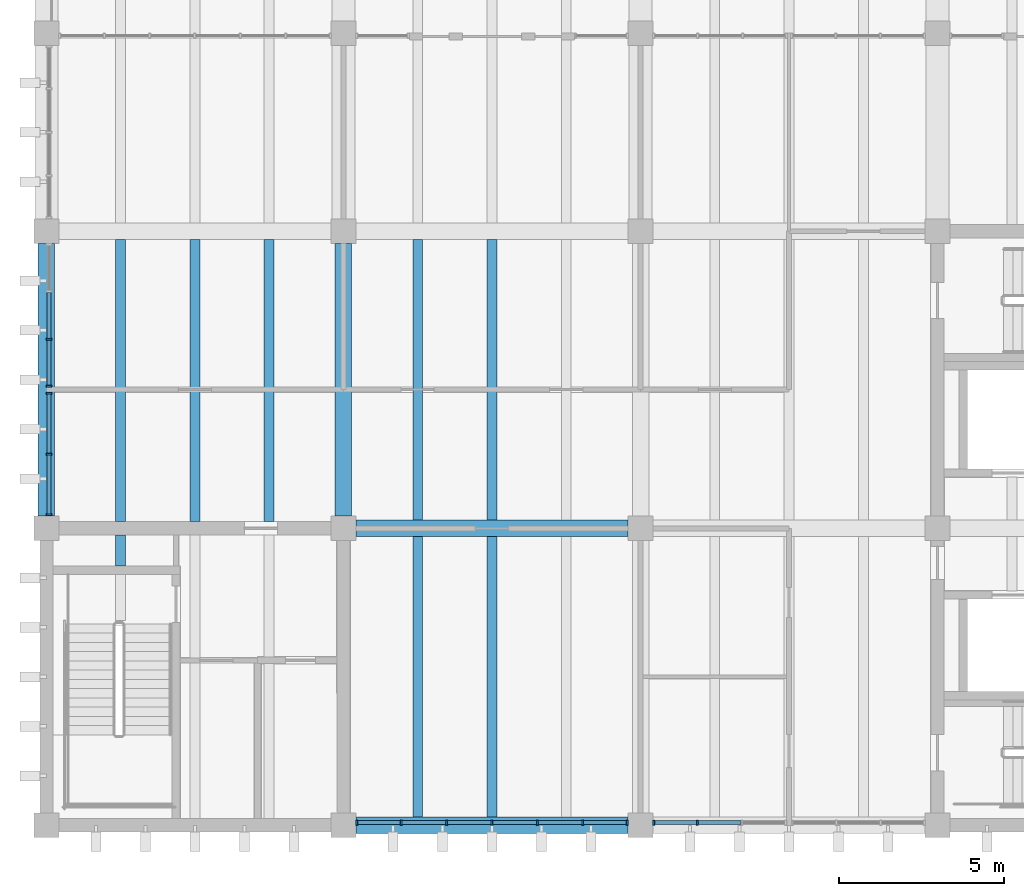
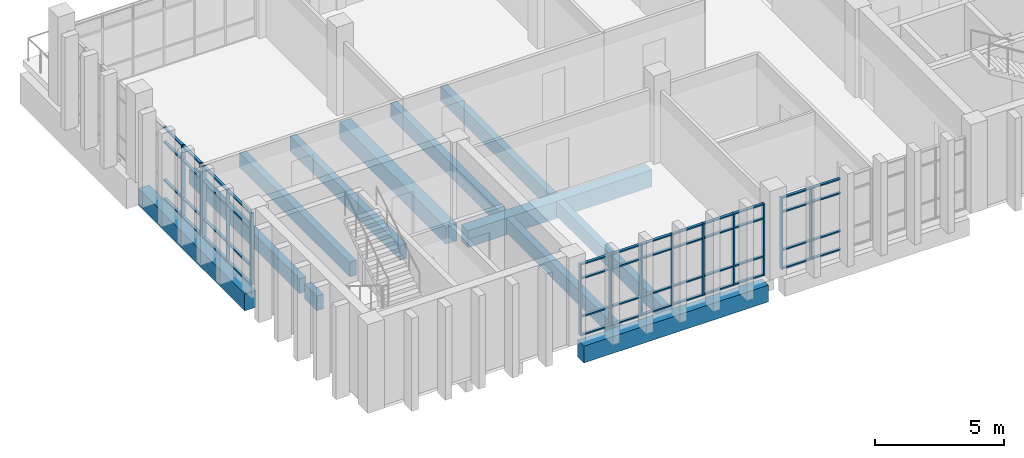
# One storey, part 2 of 15: 62 members, 12 beams, 4 elements without a shape of their own.
"""IFC4 building model written with IfcOpenShell, lengths in metres."""

from ifc_helpers import new_model, si_unit, direction, frame, origin, origin_2d, place, context, subcontext, project, spatial, rectangle, extrude, material, material_profile, profile_set, type_object, element, aggregate, save


model = new_model("IFC4")

# Units and contexts
model_context = context("Model", 3, precision=1e-05, world=origin(), true_north=direction((0.0, 1.0)))
body_context = subcontext(model_context, "Body", "Model", "MODEL_VIEW")
ifc_project = project(units=[si_unit("LENGTHUNIT", "METRE"), si_unit("AREAUNIT", "SQUARE_METRE"), si_unit("VOLUMEUNIT", "CUBIC_METRE"), si_unit("PLANEANGLEUNIT", "RADIAN"), si_unit("MASSUNIT", "GRAM", prefix="KILO")], contexts=[model_context])

# Site, building, storey
site_placement = place(None, origin())
site = spatial("IfcSite", under=ifc_project, at=site_placement, CompositionType="ELEMENT")
building_placement = place(site_placement, origin())
building = spatial("IfcBuilding", under=site, at=building_placement, Name="Merrow Basin Faculty of Sciences", CompositionType="ELEMENT")
storey_placement = place(building_placement, frame((0.0, 0.0, 31.5)))
storey = spatial("IfcBuildingStorey", under=building, at=storey_placement, Name="L07", CompositionType="ELEMENT", Elevation=31.5)

# Curtain wall, members
ifc_material_1 = material(Name="Aluminium alloy 6063", Category="aluminium")
curtain_wall_type = type_object("IfcCurtainWallType", Name="Unitised curtain wall 160", PredefinedType="NOTDEFINED", material=ifc_material_1)
curtain_wall_1_placement = place(storey_placement, origin())
curtain_wall_1 = element("IfcCurtainWall", 1, at=curtain_wall_1_placement, inside=storey, type_object=curtain_wall_type, Name="W curtain wall L07 1", PredefinedType="NOTDEFINED")
ifc_material_2 = material(Name="Aluminium alloy 6063", Category="aluminium")
ifc_material_profile_1 = material_profile(ifc_material_2, rectangle(XDim=0.159912109375, YDim=0.06005859375, at=origin_2d()))
ifc_profile_set_1 = profile_set([ifc_material_profile_1], Name="Aluminium alloy 6063")
member_type_1 = type_object("IfcMemberType", Name="Aluminium mullion 60x160", PredefinedType="MULLION", material=ifc_profile_set_1)
member_1_placement = place(storey_placement, frame((18.080078125, 151.405029296875, 0.0), z_axis=(0.0, 0.0, 1.0), x_axis=(-1.0, 0.0, 0.0)))
member_1 = element("IfcMember", 2, at=member_1_placement, type_object=member_type_1, Name="CW3 mullion 1", PredefinedType="MULLION", context=body_context, shape_type="SweptSolid", body=[
    extrude(rectangle(XDim=0.159912109375, YDim=0.06005859375, at=origin_2d()), origin(), (0.0, 0.0, 1.0), 3.39990234375),
])
member_2_placement = place(storey_placement, frame((18.080078125, 153.25, 0.0), z_axis=(0.0, 0.0, 1.0), x_axis=(-1.0, 0.0, 0.0)))
member_2 = element("IfcMember", 3, at=member_2_placement, type_object=member_type_1, Name="CW3 mullion 2", PredefinedType="MULLION", context=body_context, shape_type="SweptSolid", body=[
    extrude(rectangle(XDim=0.159912109375, YDim=0.06005859375, at=origin_2d()), origin(), (0.0, 0.0, 1.0), 3.39990234375),
])
member_3_placement = place(storey_placement, frame((18.080078125, 155.094970703125, 0.0), z_axis=(0.0, 0.0, 1.0), x_axis=(-1.0, 0.0, 0.0)))
member_3 = element("IfcMember", 4, at=member_3_placement, type_object=member_type_1, Name="CW3 mullion 3", PredefinedType="MULLION", context=body_context, shape_type="SweptSolid", body=[
    extrude(rectangle(XDim=0.159912109375, YDim=0.06005859375, at=origin_2d()), origin(), (0.0, 0.0, 1.0), 3.39990234375),
])

curtain_wall_2_placement = place(storey_placement, origin())
curtain_wall_2 = element("IfcCurtainWall", 5, at=curtain_wall_2_placement, inside=storey, type_object=curtain_wall_type, Name="W curtain wall L07 2", PredefinedType="NOTDEFINED")
member_4_placement = place(storey_placement, frame((18.080078125, 155.304931640625, 0.0), z_axis=(0.0, 0.0, 1.0), x_axis=(-1.0, 0.0, 0.0)))
member_4 = element("IfcMember", 6, at=member_4_placement, type_object=member_type_1, Name="CW3 mullion 1", PredefinedType="MULLION", context=body_context, shape_type="SweptSolid", body=[
    extrude(rectangle(XDim=0.159912109375, YDim=0.06005859375, at=origin_2d()), origin(), (0.0, 0.0, 1.0), 3.39990234375),
])
member_5_placement = place(storey_placement, frame((18.080078125, 156.72509765625, 0.0), z_axis=(0.0, 0.0, 1.0), x_axis=(-1.0, 0.0, 0.0)))
member_5 = element("IfcMember", 7, at=member_5_placement, type_object=member_type_1, Name="CW3 mullion 2", PredefinedType="MULLION", context=body_context, shape_type="SweptSolid", body=[
    extrude(rectangle(XDim=0.159912109375, YDim=0.06005859375, at=origin_2d()), origin(), (0.0, 0.0, 1.0), 3.39990234375),
])

curtain_wall_3_placement = place(storey_placement, origin())
curtain_wall_3 = element("IfcCurtainWall", 8, at=curtain_wall_3_placement, inside=storey, type_object=curtain_wall_type, Name="S curtain wall L07 1", PredefinedType="NOTDEFINED")
member_6_placement = place(storey_placement, frame((27.405029296875, 142.080078125, 0.0), z_axis=(0.0, 0.0, 1.0), x_axis=(0.0, 1.0, 0.0)))
member_6 = element("IfcMember", 9, at=member_6_placement, type_object=member_type_1, Name="CW3 mullion 1", PredefinedType="MULLION", context=body_context, shape_type="SweptSolid", body=[
    extrude(rectangle(XDim=0.159912109375, YDim=0.06005859375, at=origin_2d()), origin(), (0.0, 0.0, 1.0), 3.39990234375),
])
member_7_placement = place(storey_placement, frame((28.75, 142.080078125, 0.0), z_axis=(0.0, 0.0, 1.0), x_axis=(0.0, 1.0, 0.0)))
member_7 = element("IfcMember", 10, at=member_7_placement, type_object=member_type_1, Name="CW3 mullion 2", PredefinedType="MULLION", context=body_context, shape_type="SweptSolid", body=[
    extrude(rectangle(XDim=0.159912109375, YDim=0.06005859375, at=origin_2d()), origin(), (0.0, 0.0, 1.0), 3.39990234375),
])
member_8_placement = place(storey_placement, frame((30.125, 142.080078125, 0.0), z_axis=(0.0, 0.0, 1.0), x_axis=(0.0, 1.0, 0.0)))
member_8 = element("IfcMember", 11, at=member_8_placement, type_object=member_type_1, Name="CW3 mullion 3", PredefinedType="MULLION", context=body_context, shape_type="SweptSolid", body=[
    extrude(rectangle(XDim=0.159912109375, YDim=0.06005859375, at=origin_2d()), origin(), (0.0, 0.0, 1.0), 3.39990234375),
])
member_9_placement = place(storey_placement, frame((31.5, 142.080078125, 0.0), z_axis=(0.0, 0.0, 1.0), x_axis=(0.0, 1.0, 0.0)))
member_9 = element("IfcMember", 12, at=member_9_placement, type_object=member_type_1, Name="CW3 mullion 4", PredefinedType="MULLION", context=body_context, shape_type="SweptSolid", body=[
    extrude(rectangle(XDim=0.159912109375, YDim=0.06005859375, at=origin_2d()), origin(), (0.0, 0.0, 1.0), 3.39990234375),
])
member_10_placement = place(storey_placement, frame((32.875, 142.080078125, 0.0), z_axis=(0.0, 0.0, 1.0), x_axis=(0.0, 1.0, 0.0)))
member_10 = element("IfcMember", 13, at=member_10_placement, type_object=member_type_1, Name="CW3 mullion 5", PredefinedType="MULLION", context=body_context, shape_type="SweptSolid", body=[
    extrude(rectangle(XDim=0.159912109375, YDim=0.06005859375, at=origin_2d()), origin(), (0.0, 0.0, 1.0), 3.39990234375),
])
member_11_placement = place(storey_placement, frame((34.25, 142.080078125, 0.0), z_axis=(0.0, 0.0, 1.0), x_axis=(0.0, 1.0, 0.0)))
member_11 = element("IfcMember", 14, at=member_11_placement, type_object=member_type_1, Name="CW3 mullion 6", PredefinedType="MULLION", context=body_context, shape_type="SweptSolid", body=[
    extrude(rectangle(XDim=0.159912109375, YDim=0.06005859375, at=origin_2d()), origin(), (0.0, 0.0, 1.0), 3.39990234375),
])
member_12_placement = place(storey_placement, frame((35.594970703125, 142.080078125, 0.0), z_axis=(0.0, 0.0, 1.0), x_axis=(0.0, 1.0, 0.0)))
member_12 = element("IfcMember", 15, at=member_12_placement, type_object=member_type_1, Name="CW3 mullion 7", PredefinedType="MULLION", context=body_context, shape_type="SweptSolid", body=[
    extrude(rectangle(XDim=0.159912109375, YDim=0.06005859375, at=origin_2d()), origin(), (0.0, 0.0, 1.0), 3.39990234375),
])

curtain_wall_4_placement = place(storey_placement, origin())
curtain_wall_4 = element("IfcCurtainWall", 16, at=curtain_wall_4_placement, inside=storey, type_object=curtain_wall_type, Name="S curtain wall L07 2", PredefinedType="NOTDEFINED")
member_13_placement = place(storey_placement, frame((36.405029296875, 142.080078125, 0.0), z_axis=(0.0, 0.0, 1.0), x_axis=(0.0, 1.0, 0.0)))
member_13 = element("IfcMember", 17, at=member_13_placement, type_object=member_type_1, Name="CW3 mullion 1", PredefinedType="MULLION", context=body_context, shape_type="SweptSolid", body=[
    extrude(rectangle(XDim=0.159912109375, YDim=0.06005859375, at=origin_2d()), origin(), (0.0, 0.0, 1.0), 3.39990234375),
])
member_14_placement = place(storey_placement, frame((37.72509765625, 142.080078125, 0.0), z_axis=(0.0, 0.0, 1.0), x_axis=(0.0, 1.0, 0.0)))
member_14 = element("IfcMember", 18, at=member_14_placement, type_object=member_type_1, Name="CW3 mullion 2", PredefinedType="MULLION", context=body_context, shape_type="SweptSolid", body=[
    extrude(rectangle(XDim=0.159912109375, YDim=0.06005859375, at=origin_2d()), origin(), (0.0, 0.0, 1.0), 3.39990234375),
])

# Member
ifc_material_3 = material(Name="Aluminium alloy 6063", Category="aluminium")
ifc_material_profile_2 = material_profile(ifc_material_3, rectangle(XDim=0.1201171875, YDim=0.06005859375, at=origin_2d()))
ifc_profile_set_2 = profile_set([ifc_material_profile_2], Name="Aluminium alloy 6063")
member_type_2 = type_object("IfcMemberType", Name="Aluminium transom 60x120", PredefinedType="USERDEFINED", material=ifc_profile_set_2)
member_15_placement = place(storey_placement, frame((18.080078125, 151.43505859375, 0.030029296875), z_axis=(0.0, 1.0, 0.0), x_axis=(-1.0, 0.0, 0.0)))
member_15 = element("IfcMember", 19, at=member_15_placement, type_object=member_type_2, Name="CW3 transom 1.1", ObjectType="TRANSOM", PredefinedType="USERDEFINED", context=body_context, shape_type="SweptSolid", body=[
    extrude(rectangle(XDim=0.1201171875, YDim=0.06005859375, at=origin_2d()), origin(), (0.0, 0.0, 1.0), 1.784912109375),
])

member_16_placement = place(storey_placement, frame((18.080078125, 151.43505859375, 0.89990234375), z_axis=(0.0, 1.0, 0.0), x_axis=(-1.0, 0.0, 0.0)))
member_16 = element("IfcMember", 20, at=member_16_placement, type_object=member_type_2, Name="CW3 transom 1.2", ObjectType="TRANSOM", PredefinedType="USERDEFINED", context=body_context, shape_type="SweptSolid", body=[
    extrude(rectangle(XDim=0.1201171875, YDim=0.06005859375, at=origin_2d()), origin(), (0.0, 0.0, 1.0), 1.784912109375),
])

member_17_placement = place(storey_placement, frame((18.080078125, 151.43505859375, 2.699951171875), z_axis=(0.0, 1.0, 0.0), x_axis=(-1.0, 0.0, 0.0)))
member_17 = element("IfcMember", 21, at=member_17_placement, type_object=member_type_2, Name="CW3 transom 1.3", ObjectType="TRANSOM", PredefinedType="USERDEFINED", context=body_context, shape_type="SweptSolid", body=[
    extrude(rectangle(XDim=0.1201171875, YDim=0.06005859375, at=origin_2d()), origin(), (0.0, 0.0, 1.0), 1.784912109375),
])

member_18_placement = place(storey_placement, frame((18.080078125, 151.43505859375, 3.3701171875), z_axis=(0.0, 1.0, 0.0), x_axis=(-1.0, 0.0, 0.0)))
member_18 = element("IfcMember", 22, at=member_18_placement, type_object=member_type_2, Name="CW3 transom 1.4", ObjectType="TRANSOM", PredefinedType="USERDEFINED", context=body_context, shape_type="SweptSolid", body=[
    extrude(rectangle(XDim=0.1201171875, YDim=0.06005859375, at=origin_2d()), origin(), (0.0, 0.0, 1.0), 1.784912109375),
])

member_19_placement = place(storey_placement, frame((18.080078125, 153.280029296875, 0.030029296875), z_axis=(0.0, 1.0, 0.0), x_axis=(-1.0, 0.0, 0.0)))
member_19 = element("IfcMember", 23, at=member_19_placement, type_object=member_type_2, Name="CW3 transom 2.1", ObjectType="TRANSOM", PredefinedType="USERDEFINED", context=body_context, shape_type="SweptSolid", body=[
    extrude(rectangle(XDim=0.1201171875, YDim=0.06005859375, at=origin_2d()), origin(), (0.0, 0.0, 1.0), 1.784912109375),
])

member_20_placement = place(storey_placement, frame((18.080078125, 153.280029296875, 0.89990234375), z_axis=(0.0, 1.0, 0.0), x_axis=(-1.0, 0.0, 0.0)))
member_20 = element("IfcMember", 24, at=member_20_placement, type_object=member_type_2, Name="CW3 transom 2.2", ObjectType="TRANSOM", PredefinedType="USERDEFINED", context=body_context, shape_type="SweptSolid", body=[
    extrude(rectangle(XDim=0.1201171875, YDim=0.06005859375, at=origin_2d()), origin(), (0.0, 0.0, 1.0), 1.784912109375),
])

member_21_placement = place(storey_placement, frame((18.080078125, 153.280029296875, 2.699951171875), z_axis=(0.0, 1.0, 0.0), x_axis=(-1.0, 0.0, 0.0)))
member_21 = element("IfcMember", 25, at=member_21_placement, type_object=member_type_2, Name="CW3 transom 2.3", ObjectType="TRANSOM", PredefinedType="USERDEFINED", context=body_context, shape_type="SweptSolid", body=[
    extrude(rectangle(XDim=0.1201171875, YDim=0.06005859375, at=origin_2d()), origin(), (0.0, 0.0, 1.0), 1.784912109375),
])

member_22_placement = place(storey_placement, frame((18.080078125, 153.280029296875, 3.3701171875), z_axis=(0.0, 1.0, 0.0), x_axis=(-1.0, 0.0, 0.0)))
member_22 = element("IfcMember", 26, at=member_22_placement, type_object=member_type_2, Name="CW3 transom 2.4", ObjectType="TRANSOM", PredefinedType="USERDEFINED", context=body_context, shape_type="SweptSolid", body=[
    extrude(rectangle(XDim=0.1201171875, YDim=0.06005859375, at=origin_2d()), origin(), (0.0, 0.0, 1.0), 1.784912109375),
])

aggregate(curtain_wall_1, [member_1, member_2, member_3, member_15, member_16, member_17, member_18, member_19, member_20, member_21, member_22])

member_23_placement = place(storey_placement, frame((18.080078125, 155.3349609375, 0.030029296875), z_axis=(0.0, 1.0, 0.0), x_axis=(-1.0, 0.0, 0.0)))
member_23 = element("IfcMember", 27, at=member_23_placement, type_object=member_type_2, Name="CW3 transom 1.1", ObjectType="TRANSOM", PredefinedType="USERDEFINED", context=body_context, shape_type="SweptSolid", body=[
    extrude(rectangle(XDim=0.1201171875, YDim=0.06005859375, at=origin_2d()), origin(), (0.0, 0.0, 1.0), 1.360107421875),
])

member_24_placement = place(storey_placement, frame((18.080078125, 155.3349609375, 0.89990234375), z_axis=(0.0, 1.0, 0.0), x_axis=(-1.0, 0.0, 0.0)))
member_24 = element("IfcMember", 28, at=member_24_placement, type_object=member_type_2, Name="CW3 transom 1.2", ObjectType="TRANSOM", PredefinedType="USERDEFINED", context=body_context, shape_type="SweptSolid", body=[
    extrude(rectangle(XDim=0.1201171875, YDim=0.06005859375, at=origin_2d()), origin(), (0.0, 0.0, 1.0), 1.360107421875),
])

member_25_placement = place(storey_placement, frame((18.080078125, 155.3349609375, 2.699951171875), z_axis=(0.0, 1.0, 0.0), x_axis=(-1.0, 0.0, 0.0)))
member_25 = element("IfcMember", 29, at=member_25_placement, type_object=member_type_2, Name="CW3 transom 1.3", ObjectType="TRANSOM", PredefinedType="USERDEFINED", context=body_context, shape_type="SweptSolid", body=[
    extrude(rectangle(XDim=0.1201171875, YDim=0.06005859375, at=origin_2d()), origin(), (0.0, 0.0, 1.0), 1.360107421875),
])

member_26_placement = place(storey_placement, frame((18.080078125, 155.3349609375, 3.3701171875), z_axis=(0.0, 1.0, 0.0), x_axis=(-1.0, 0.0, 0.0)))
member_26 = element("IfcMember", 30, at=member_26_placement, type_object=member_type_2, Name="CW3 transom 1.4", ObjectType="TRANSOM", PredefinedType="USERDEFINED", context=body_context, shape_type="SweptSolid", body=[
    extrude(rectangle(XDim=0.1201171875, YDim=0.06005859375, at=origin_2d()), origin(), (0.0, 0.0, 1.0), 1.360107421875),
])

member_27_placement = place(storey_placement, frame((18.080078125, 156.7548828125, 0.030029296875), z_axis=(0.0, 1.0, 0.0), x_axis=(-1.0, 0.0, 0.0)))
member_27 = element("IfcMember", 31, at=member_27_placement, type_object=member_type_2, Name="CW3 transom 2.1", ObjectType="TRANSOM", PredefinedType="USERDEFINED", context=body_context, shape_type="SweptSolid", body=[
    extrude(rectangle(XDim=0.1201171875, YDim=0.06005859375, at=origin_2d()), origin(), (0.0, 0.0, 1.0), 1.39013671875),
])

member_28_placement = place(storey_placement, frame((18.080078125, 156.7548828125, 0.89990234375), z_axis=(0.0, 1.0, 0.0), x_axis=(-1.0, 0.0, 0.0)))
member_28 = element("IfcMember", 32, at=member_28_placement, type_object=member_type_2, Name="CW3 transom 2.2", ObjectType="TRANSOM", PredefinedType="USERDEFINED", context=body_context, shape_type="SweptSolid", body=[
    extrude(rectangle(XDim=0.1201171875, YDim=0.06005859375, at=origin_2d()), origin(), (0.0, 0.0, 1.0), 1.39013671875),
])

member_29_placement = place(storey_placement, frame((18.080078125, 156.7548828125, 2.699951171875), z_axis=(0.0, 1.0, 0.0), x_axis=(-1.0, 0.0, 0.0)))
member_29 = element("IfcMember", 33, at=member_29_placement, type_object=member_type_2, Name="CW3 transom 2.3", ObjectType="TRANSOM", PredefinedType="USERDEFINED", context=body_context, shape_type="SweptSolid", body=[
    extrude(rectangle(XDim=0.1201171875, YDim=0.06005859375, at=origin_2d()), origin(), (0.0, 0.0, 1.0), 1.39013671875),
])

member_30_placement = place(storey_placement, frame((18.080078125, 156.7548828125, 3.3701171875), z_axis=(0.0, 1.0, 0.0), x_axis=(-1.0, 0.0, 0.0)))
member_30 = element("IfcMember", 34, at=member_30_placement, type_object=member_type_2, Name="CW3 transom 2.4", ObjectType="TRANSOM", PredefinedType="USERDEFINED", context=body_context, shape_type="SweptSolid", body=[
    extrude(rectangle(XDim=0.1201171875, YDim=0.06005859375, at=origin_2d()), origin(), (0.0, 0.0, 1.0), 1.39013671875),
])

aggregate(curtain_wall_2, [member_4, member_5, member_23, member_24, member_25, member_26, member_27, member_28, member_29, member_30])

member_31_placement = place(storey_placement, frame((27.43505859375, 142.080078125, 0.030029296875), z_axis=(1.0, 0.0, 0.0), x_axis=(0.0, 1.0, 0.0)))
member_31 = element("IfcMember", 35, at=member_31_placement, type_object=member_type_2, Name="CW3 transom 1.1", ObjectType="TRANSOM", PredefinedType="USERDEFINED", context=body_context, shape_type="SweptSolid", body=[
    extrude(rectangle(XDim=0.1201171875, YDim=0.06005859375, at=origin_2d()), origin(), (0.0, 0.0, 1.0), 1.284912109375),
])

member_32_placement = place(storey_placement, frame((27.43505859375, 142.080078125, 0.89990234375), z_axis=(1.0, 0.0, 0.0), x_axis=(0.0, 1.0, 0.0)))
member_32 = element("IfcMember", 36, at=member_32_placement, type_object=member_type_2, Name="CW3 transom 1.2", ObjectType="TRANSOM", PredefinedType="USERDEFINED", context=body_context, shape_type="SweptSolid", body=[
    extrude(rectangle(XDim=0.1201171875, YDim=0.06005859375, at=origin_2d()), origin(), (0.0, 0.0, 1.0), 1.284912109375),
])

member_33_placement = place(storey_placement, frame((27.43505859375, 142.080078125, 2.699951171875), z_axis=(1.0, 0.0, 0.0), x_axis=(0.0, 1.0, 0.0)))
member_33 = element("IfcMember", 37, at=member_33_placement, type_object=member_type_2, Name="CW3 transom 1.3", ObjectType="TRANSOM", PredefinedType="USERDEFINED", context=body_context, shape_type="SweptSolid", body=[
    extrude(rectangle(XDim=0.1201171875, YDim=0.06005859375, at=origin_2d()), origin(), (0.0, 0.0, 1.0), 1.284912109375),
])

member_34_placement = place(storey_placement, frame((27.43505859375, 142.080078125, 3.3701171875), z_axis=(1.0, 0.0, 0.0), x_axis=(0.0, 1.0, 0.0)))
member_34 = element("IfcMember", 38, at=member_34_placement, type_object=member_type_2, Name="CW3 transom 1.4", ObjectType="TRANSOM", PredefinedType="USERDEFINED", context=body_context, shape_type="SweptSolid", body=[
    extrude(rectangle(XDim=0.1201171875, YDim=0.06005859375, at=origin_2d()), origin(), (0.0, 0.0, 1.0), 1.284912109375),
])

member_35_placement = place(storey_placement, frame((28.780029296875, 142.080078125, 0.030029296875), z_axis=(1.0, 0.0, 0.0), x_axis=(0.0, 1.0, 0.0)))
member_35 = element("IfcMember", 39, at=member_35_placement, type_object=member_type_2, Name="CW3 transom 2.1", ObjectType="TRANSOM", PredefinedType="USERDEFINED", context=body_context, shape_type="SweptSolid", body=[
    extrude(rectangle(XDim=0.1201171875, YDim=0.06005859375, at=origin_2d()), origin(), (0.0, 0.0, 1.0), 1.31494140625),
])

member_36_placement = place(storey_placement, frame((28.780029296875, 142.080078125, 0.89990234375), z_axis=(1.0, 0.0, 0.0), x_axis=(0.0, 1.0, 0.0)))
member_36 = element("IfcMember", 40, at=member_36_placement, type_object=member_type_2, Name="CW3 transom 2.2", ObjectType="TRANSOM", PredefinedType="USERDEFINED", context=body_context, shape_type="SweptSolid", body=[
    extrude(rectangle(XDim=0.1201171875, YDim=0.06005859375, at=origin_2d()), origin(), (0.0, 0.0, 1.0), 1.31494140625),
])

member_37_placement = place(storey_placement, frame((28.780029296875, 142.080078125, 2.699951171875), z_axis=(1.0, 0.0, 0.0), x_axis=(0.0, 1.0, 0.0)))
member_37 = element("IfcMember", 41, at=member_37_placement, type_object=member_type_2, Name="CW3 transom 2.3", ObjectType="TRANSOM", PredefinedType="USERDEFINED", context=body_context, shape_type="SweptSolid", body=[
    extrude(rectangle(XDim=0.1201171875, YDim=0.06005859375, at=origin_2d()), origin(), (0.0, 0.0, 1.0), 1.31494140625),
])

member_38_placement = place(storey_placement, frame((28.780029296875, 142.080078125, 3.3701171875), z_axis=(1.0, 0.0, 0.0), x_axis=(0.0, 1.0, 0.0)))
member_38 = element("IfcMember", 42, at=member_38_placement, type_object=member_type_2, Name="CW3 transom 2.4", ObjectType="TRANSOM", PredefinedType="USERDEFINED", context=body_context, shape_type="SweptSolid", body=[
    extrude(rectangle(XDim=0.1201171875, YDim=0.06005859375, at=origin_2d()), origin(), (0.0, 0.0, 1.0), 1.31494140625),
])

member_39_placement = place(storey_placement, frame((30.155029296875, 142.080078125, 0.030029296875), z_axis=(1.0, 0.0, 0.0), x_axis=(0.0, 1.0, 0.0)))
member_39 = element("IfcMember", 43, at=member_39_placement, type_object=member_type_2, Name="CW3 transom 3.1", ObjectType="TRANSOM", PredefinedType="USERDEFINED", context=body_context, shape_type="SweptSolid", body=[
    extrude(rectangle(XDim=0.1201171875, YDim=0.06005859375, at=origin_2d()), origin(), (0.0, 0.0, 1.0), 1.31494140625),
])

member_40_placement = place(storey_placement, frame((30.155029296875, 142.080078125, 0.89990234375), z_axis=(1.0, 0.0, 0.0), x_axis=(0.0, 1.0, 0.0)))
member_40 = element("IfcMember", 44, at=member_40_placement, type_object=member_type_2, Name="CW3 transom 3.2", ObjectType="TRANSOM", PredefinedType="USERDEFINED", context=body_context, shape_type="SweptSolid", body=[
    extrude(rectangle(XDim=0.1201171875, YDim=0.06005859375, at=origin_2d()), origin(), (0.0, 0.0, 1.0), 1.31494140625),
])

member_41_placement = place(storey_placement, frame((30.155029296875, 142.080078125, 2.699951171875), z_axis=(1.0, 0.0, 0.0), x_axis=(0.0, 1.0, 0.0)))
member_41 = element("IfcMember", 45, at=member_41_placement, type_object=member_type_2, Name="CW3 transom 3.3", ObjectType="TRANSOM", PredefinedType="USERDEFINED", context=body_context, shape_type="SweptSolid", body=[
    extrude(rectangle(XDim=0.1201171875, YDim=0.06005859375, at=origin_2d()), origin(), (0.0, 0.0, 1.0), 1.31494140625),
])

member_42_placement = place(storey_placement, frame((30.155029296875, 142.080078125, 3.3701171875), z_axis=(1.0, 0.0, 0.0), x_axis=(0.0, 1.0, 0.0)))
member_42 = element("IfcMember", 46, at=member_42_placement, type_object=member_type_2, Name="CW3 transom 3.4", ObjectType="TRANSOM", PredefinedType="USERDEFINED", context=body_context, shape_type="SweptSolid", body=[
    extrude(rectangle(XDim=0.1201171875, YDim=0.06005859375, at=origin_2d()), origin(), (0.0, 0.0, 1.0), 1.31494140625),
])

member_43_placement = place(storey_placement, frame((31.530029296875, 142.080078125, 0.030029296875), z_axis=(1.0, 0.0, 0.0), x_axis=(0.0, 1.0, 0.0)))
member_43 = element("IfcMember", 47, at=member_43_placement, type_object=member_type_2, Name="CW3 transom 4.1", ObjectType="TRANSOM", PredefinedType="USERDEFINED", context=body_context, shape_type="SweptSolid", body=[
    extrude(rectangle(XDim=0.1201171875, YDim=0.06005859375, at=origin_2d()), origin(), (0.0, 0.0, 1.0), 1.31494140625),
])

member_44_placement = place(storey_placement, frame((31.530029296875, 142.080078125, 0.89990234375), z_axis=(1.0, 0.0, 0.0), x_axis=(0.0, 1.0, 0.0)))
member_44 = element("IfcMember", 48, at=member_44_placement, type_object=member_type_2, Name="CW3 transom 4.2", ObjectType="TRANSOM", PredefinedType="USERDEFINED", context=body_context, shape_type="SweptSolid", body=[
    extrude(rectangle(XDim=0.1201171875, YDim=0.06005859375, at=origin_2d()), origin(), (0.0, 0.0, 1.0), 1.31494140625),
])

member_45_placement = place(storey_placement, frame((31.530029296875, 142.080078125, 2.699951171875), z_axis=(1.0, 0.0, 0.0), x_axis=(0.0, 1.0, 0.0)))
member_45 = element("IfcMember", 49, at=member_45_placement, type_object=member_type_2, Name="CW3 transom 4.3", ObjectType="TRANSOM", PredefinedType="USERDEFINED", context=body_context, shape_type="SweptSolid", body=[
    extrude(rectangle(XDim=0.1201171875, YDim=0.06005859375, at=origin_2d()), origin(), (0.0, 0.0, 1.0), 1.31494140625),
])

member_46_placement = place(storey_placement, frame((31.530029296875, 142.080078125, 3.3701171875), z_axis=(1.0, 0.0, 0.0), x_axis=(0.0, 1.0, 0.0)))
member_46 = element("IfcMember", 50, at=member_46_placement, type_object=member_type_2, Name="CW3 transom 4.4", ObjectType="TRANSOM", PredefinedType="USERDEFINED", context=body_context, shape_type="SweptSolid", body=[
    extrude(rectangle(XDim=0.1201171875, YDim=0.06005859375, at=origin_2d()), origin(), (0.0, 0.0, 1.0), 1.31494140625),
])

member_47_placement = place(storey_placement, frame((32.905029296875, 142.080078125, 0.030029296875), z_axis=(1.0, 0.0, 0.0), x_axis=(0.0, 1.0, 0.0)))
member_47 = element("IfcMember", 51, at=member_47_placement, type_object=member_type_2, Name="CW3 transom 5.1", ObjectType="TRANSOM", PredefinedType="USERDEFINED", context=body_context, shape_type="SweptSolid", body=[
    extrude(rectangle(XDim=0.1201171875, YDim=0.06005859375, at=origin_2d()), origin(), (0.0, 0.0, 1.0), 1.31494140625),
])

member_48_placement = place(storey_placement, frame((32.905029296875, 142.080078125, 0.89990234375), z_axis=(1.0, 0.0, 0.0), x_axis=(0.0, 1.0, 0.0)))
member_48 = element("IfcMember", 52, at=member_48_placement, type_object=member_type_2, Name="CW3 transom 5.2", ObjectType="TRANSOM", PredefinedType="USERDEFINED", context=body_context, shape_type="SweptSolid", body=[
    extrude(rectangle(XDim=0.1201171875, YDim=0.06005859375, at=origin_2d()), origin(), (0.0, 0.0, 1.0), 1.31494140625),
])

member_49_placement = place(storey_placement, frame((32.905029296875, 142.080078125, 2.699951171875), z_axis=(1.0, 0.0, 0.0), x_axis=(0.0, 1.0, 0.0)))
member_49 = element("IfcMember", 53, at=member_49_placement, type_object=member_type_2, Name="CW3 transom 5.3", ObjectType="TRANSOM", PredefinedType="USERDEFINED", context=body_context, shape_type="SweptSolid", body=[
    extrude(rectangle(XDim=0.1201171875, YDim=0.06005859375, at=origin_2d()), origin(), (0.0, 0.0, 1.0), 1.31494140625),
])

member_50_placement = place(storey_placement, frame((32.905029296875, 142.080078125, 3.3701171875), z_axis=(1.0, 0.0, 0.0), x_axis=(0.0, 1.0, 0.0)))
member_50 = element("IfcMember", 54, at=member_50_placement, type_object=member_type_2, Name="CW3 transom 5.4", ObjectType="TRANSOM", PredefinedType="USERDEFINED", context=body_context, shape_type="SweptSolid", body=[
    extrude(rectangle(XDim=0.1201171875, YDim=0.06005859375, at=origin_2d()), origin(), (0.0, 0.0, 1.0), 1.31494140625),
])

member_51_placement = place(storey_placement, frame((34.280029296875, 142.080078125, 0.030029296875), z_axis=(1.0, 0.0, 0.0), x_axis=(0.0, 1.0, 0.0)))
member_51 = element("IfcMember", 55, at=member_51_placement, type_object=member_type_2, Name="CW3 transom 6.1", ObjectType="TRANSOM", PredefinedType="USERDEFINED", context=body_context, shape_type="SweptSolid", body=[
    extrude(rectangle(XDim=0.1201171875, YDim=0.06005859375, at=origin_2d()), origin(), (0.0, 0.0, 1.0), 1.284912109375),
])

member_52_placement = place(storey_placement, frame((34.280029296875, 142.080078125, 0.89990234375), z_axis=(1.0, 0.0, 0.0), x_axis=(0.0, 1.0, 0.0)))
member_52 = element("IfcMember", 56, at=member_52_placement, type_object=member_type_2, Name="CW3 transom 6.2", ObjectType="TRANSOM", PredefinedType="USERDEFINED", context=body_context, shape_type="SweptSolid", body=[
    extrude(rectangle(XDim=0.1201171875, YDim=0.06005859375, at=origin_2d()), origin(), (0.0, 0.0, 1.0), 1.284912109375),
])

member_53_placement = place(storey_placement, frame((34.280029296875, 142.080078125, 2.699951171875), z_axis=(1.0, 0.0, 0.0), x_axis=(0.0, 1.0, 0.0)))
member_53 = element("IfcMember", 57, at=member_53_placement, type_object=member_type_2, Name="CW3 transom 6.3", ObjectType="TRANSOM", PredefinedType="USERDEFINED", context=body_context, shape_type="SweptSolid", body=[
    extrude(rectangle(XDim=0.1201171875, YDim=0.06005859375, at=origin_2d()), origin(), (0.0, 0.0, 1.0), 1.284912109375),
])

member_54_placement = place(storey_placement, frame((34.280029296875, 142.080078125, 3.3701171875), z_axis=(1.0, 0.0, 0.0), x_axis=(0.0, 1.0, 0.0)))
member_54 = element("IfcMember", 58, at=member_54_placement, type_object=member_type_2, Name="CW3 transom 6.4", ObjectType="TRANSOM", PredefinedType="USERDEFINED", context=body_context, shape_type="SweptSolid", body=[
    extrude(rectangle(XDim=0.1201171875, YDim=0.06005859375, at=origin_2d()), origin(), (0.0, 0.0, 1.0), 1.284912109375),
])

aggregate(curtain_wall_3, [member_6, member_7, member_8, member_9, member_10, member_11, member_12, member_31, member_32, member_33, member_34, member_35, member_36, member_37, member_38, member_39, member_40, member_41, member_42, member_43, member_44, member_45, member_46, member_47, member_48, member_49, member_50, member_51, member_52, member_53, member_54])

member_55_placement = place(storey_placement, frame((36.43505859375, 142.080078125, 0.030029296875), z_axis=(1.0, 0.0, 0.0), x_axis=(0.0, 1.0, 0.0)))
member_55 = element("IfcMember", 59, at=member_55_placement, type_object=member_type_2, Name="CW3 transom 1.1", ObjectType="TRANSOM", PredefinedType="USERDEFINED", context=body_context, shape_type="SweptSolid", body=[
    extrude(rectangle(XDim=0.1201171875, YDim=0.06005859375, at=origin_2d()), origin(), (0.0, 0.0, 1.0), 1.260009765625),
])

member_56_placement = place(storey_placement, frame((36.43505859375, 142.080078125, 0.89990234375), z_axis=(1.0, 0.0, 0.0), x_axis=(0.0, 1.0, 0.0)))
member_56 = element("IfcMember", 60, at=member_56_placement, type_object=member_type_2, Name="CW3 transom 1.2", ObjectType="TRANSOM", PredefinedType="USERDEFINED", context=body_context, shape_type="SweptSolid", body=[
    extrude(rectangle(XDim=0.1201171875, YDim=0.06005859375, at=origin_2d()), origin(), (0.0, 0.0, 1.0), 1.260009765625),
])

member_57_placement = place(storey_placement, frame((36.43505859375, 142.080078125, 2.699951171875), z_axis=(1.0, 0.0, 0.0), x_axis=(0.0, 1.0, 0.0)))
member_57 = element("IfcMember", 61, at=member_57_placement, type_object=member_type_2, Name="CW3 transom 1.3", ObjectType="TRANSOM", PredefinedType="USERDEFINED", context=body_context, shape_type="SweptSolid", body=[
    extrude(rectangle(XDim=0.1201171875, YDim=0.06005859375, at=origin_2d()), origin(), (0.0, 0.0, 1.0), 1.260009765625),
])

member_58_placement = place(storey_placement, frame((36.43505859375, 142.080078125, 3.3701171875), z_axis=(1.0, 0.0, 0.0), x_axis=(0.0, 1.0, 0.0)))
member_58 = element("IfcMember", 62, at=member_58_placement, type_object=member_type_2, Name="CW3 transom 1.4", ObjectType="TRANSOM", PredefinedType="USERDEFINED", context=body_context, shape_type="SweptSolid", body=[
    extrude(rectangle(XDim=0.1201171875, YDim=0.06005859375, at=origin_2d()), origin(), (0.0, 0.0, 1.0), 1.260009765625),
])

member_59_placement = place(storey_placement, frame((37.7548828125, 142.080078125, 0.030029296875), z_axis=(1.0, 0.0, 0.0), x_axis=(0.0, 1.0, 0.0)))
member_59 = element("IfcMember", 63, at=member_59_placement, type_object=member_type_2, Name="CW3 transom 2.1", ObjectType="TRANSOM", PredefinedType="USERDEFINED", context=body_context, shape_type="SweptSolid", body=[
    extrude(rectangle(XDim=0.1201171875, YDim=0.06005859375, at=origin_2d()), origin(), (0.0, 0.0, 1.0), 1.2900390625),
])

member_60_placement = place(storey_placement, frame((37.7548828125, 142.080078125, 0.89990234375), z_axis=(1.0, 0.0, 0.0), x_axis=(0.0, 1.0, 0.0)))
member_60 = element("IfcMember", 64, at=member_60_placement, type_object=member_type_2, Name="CW3 transom 2.2", ObjectType="TRANSOM", PredefinedType="USERDEFINED", context=body_context, shape_type="SweptSolid", body=[
    extrude(rectangle(XDim=0.1201171875, YDim=0.06005859375, at=origin_2d()), origin(), (0.0, 0.0, 1.0), 1.2900390625),
])

member_61_placement = place(storey_placement, frame((37.7548828125, 142.080078125, 2.699951171875), z_axis=(1.0, 0.0, 0.0), x_axis=(0.0, 1.0, 0.0)))
member_61 = element("IfcMember", 65, at=member_61_placement, type_object=member_type_2, Name="CW3 transom 2.3", ObjectType="TRANSOM", PredefinedType="USERDEFINED", context=body_context, shape_type="SweptSolid", body=[
    extrude(rectangle(XDim=0.1201171875, YDim=0.06005859375, at=origin_2d()), origin(), (0.0, 0.0, 1.0), 1.2900390625),
])

member_62_placement = place(storey_placement, frame((37.7548828125, 142.080078125, 3.3701171875), z_axis=(1.0, 0.0, 0.0), x_axis=(0.0, 1.0, 0.0)))
member_62 = element("IfcMember", 66, at=member_62_placement, type_object=member_type_2, Name="CW3 transom 2.4", ObjectType="TRANSOM", PredefinedType="USERDEFINED", context=body_context, shape_type="SweptSolid", body=[
    extrude(rectangle(XDim=0.1201171875, YDim=0.06005859375, at=origin_2d()), origin(), (0.0, 0.0, 1.0), 1.2900390625),
])

aggregate(curtain_wall_4, [member_13, member_14, member_55, member_56, member_57, member_58, member_59, member_60, member_61, member_62])

# Beams
ifc_material_4 = material(Name="Concrete C40/50", Category="concrete")
ifc_material_profile_3 = material_profile(ifc_material_4, rectangle(XDim=0.5, YDim=0.800048828125, at=origin_2d()))
ifc_profile_set_3 = profile_set([ifc_material_profile_3], Name="Concrete C40/50")
beam_type_1 = type_object("IfcBeamType", Name="Beam RC500x800 C40/50", PredefinedType="BEAM", material=ifc_profile_set_3)
for number, where, z_axis, x_axis, name in (
    (67, (27.375, 142.0, -0.699951171875), (1.0, 0.0, 0.0), (0.0, 1.0, 0.0), "B4 L07 001"),
    (68, (27.375, 151.0, -0.699951171875), (1.0, 0.0, 0.0), (0.0, 1.0, 0.0), "B4 L07 003"),
    (69, (18.0, 151.375, -0.699951171875), (0.0, 1.0, 0.0), (-1.0, 0.0, 0.0), "B4 L07 013"),
    (70, (27.0, 151.375, -0.699951171875), (0.0, 1.0, 0.0), (-1.0, 0.0, 0.0), "B4 L07 015"),
):
    element("IfcBeam", number, at=place(storey_placement, frame(where, z_axis=z_axis, x_axis=x_axis)), inside=storey, type_object=beam_type_1, Name=name, PredefinedType="BEAM", context=body_context, shape_type="SweptSolid", body=[
        extrude(rectangle(XDim=0.5, YDim=0.800048828125, at=origin_2d()), origin(), (0.0, 0.0, 1.0), 8.25),
    ])
ifc_material_5 = material(Name="Concrete C40/50", Category="concrete")
ifc_material_profile_4 = material_profile(ifc_material_5, rectangle(XDim=0.300048828125, YDim=0.699951171875, at=origin_2d()))
ifc_profile_set_4 = profile_set([ifc_material_profile_4], Name="Concrete C40/50")
beam_type_2 = type_object("IfcBeamType", Name="Terrace joist RC300x700 C40/50", PredefinedType="BEAM", material=ifc_profile_set_4)
beam_placement = place(storey_placement, frame((20.25, 149.85009765625, -0.64990234375), z_axis=(0.0, 1.0, 0.0), x_axis=(-1.0, 0.0, 0.0)))
element("IfcBeam", 71, at=beam_placement, inside=storey, type_object=beam_type_2, Name="JX1 L07 023", PredefinedType="BEAM", context=body_context, shape_type="SweptSolid", body=[
    extrude(rectangle(XDim=0.300048828125, YDim=0.699951171875, at=origin_2d()), origin(), (0.0, 0.0, 1.0), 0.949951171875),
])
for number, where, z_axis, x_axis, name in (
    (72, (20.25, 151.199951171875, -0.64990234375), (0.0, 1.0, 0.0), (-1.0, 0.0, 0.0), "JX1 L07 026"),
    (73, (22.5, 151.199951171875, -0.64990234375), (0.0, 1.0, 0.0), (-1.0, 0.0, 0.0), "JX1 L07 027"),
    (74, (24.75, 151.199951171875, -0.64990234375), (0.0, 1.0, 0.0), (-1.0, 0.0, 0.0), "JX1 L07 028"),
):
    element("IfcBeam", number, at=place(storey_placement, frame(where, z_axis=z_axis, x_axis=x_axis)), inside=storey, type_object=beam_type_2, Name=name, PredefinedType="BEAM", context=body_context, shape_type="SweptSolid", body=[
        extrude(rectangle(XDim=0.300048828125, YDim=0.699951171875, at=origin_2d()), origin(), (0.0, 0.0, 1.0), 8.550048828125),
    ])
for number, where, z_axis, x_axis, name in (
    (75, (29.25, 142.25, -0.64990234375), (0.0, 1.0, 0.0), (-1.0, 0.0, 0.0), "JX1 L07 032"),
    (76, (31.5, 142.25, -0.64990234375), (0.0, 1.0, 0.0), (-1.0, 0.0, 0.0), "JX1 L07 033"),
    (77, (29.25, 151.25, -0.64990234375), (0.0, 1.0, 0.0), (-1.0, 0.0, 0.0), "JX1 L07 035"),
    (78, (31.5, 151.25, -0.64990234375), (0.0, 1.0, 0.0), (-1.0, 0.0, 0.0), "JX1 L07 036"),
):
    element("IfcBeam", number, at=place(storey_placement, frame(where, z_axis=z_axis, x_axis=x_axis)), inside=storey, type_object=beam_type_2, Name=name, PredefinedType="BEAM", context=body_context, shape_type="SweptSolid", body=[
        extrude(rectangle(XDim=0.300048828125, YDim=0.699951171875, at=origin_2d()), origin(), (0.0, 0.0, 1.0), 8.5),
    ])

save(model, "model.ifc")
